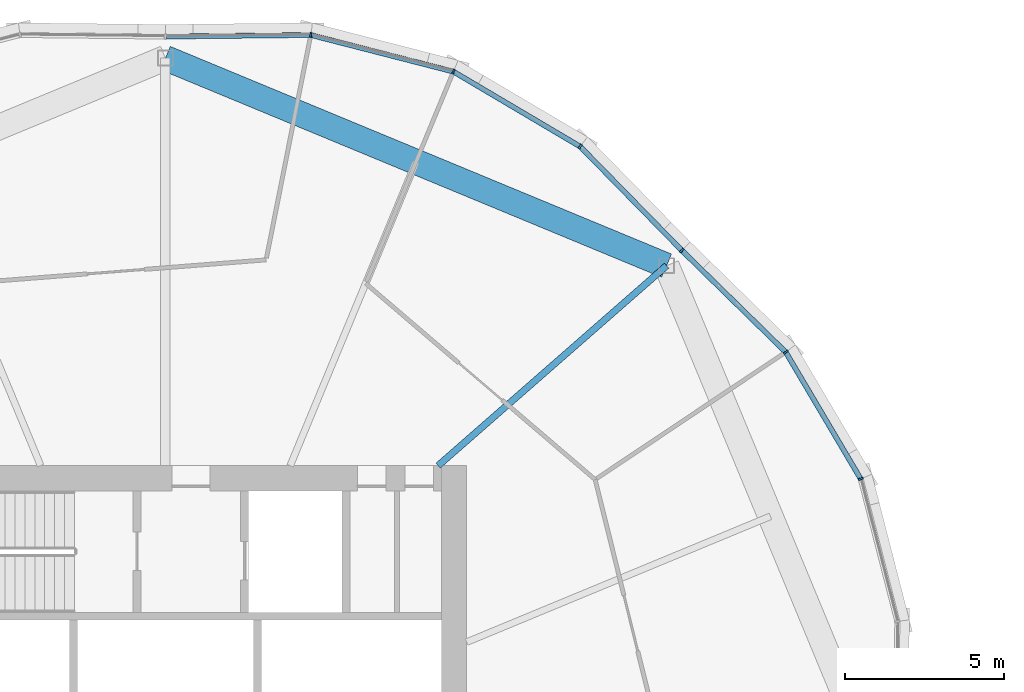
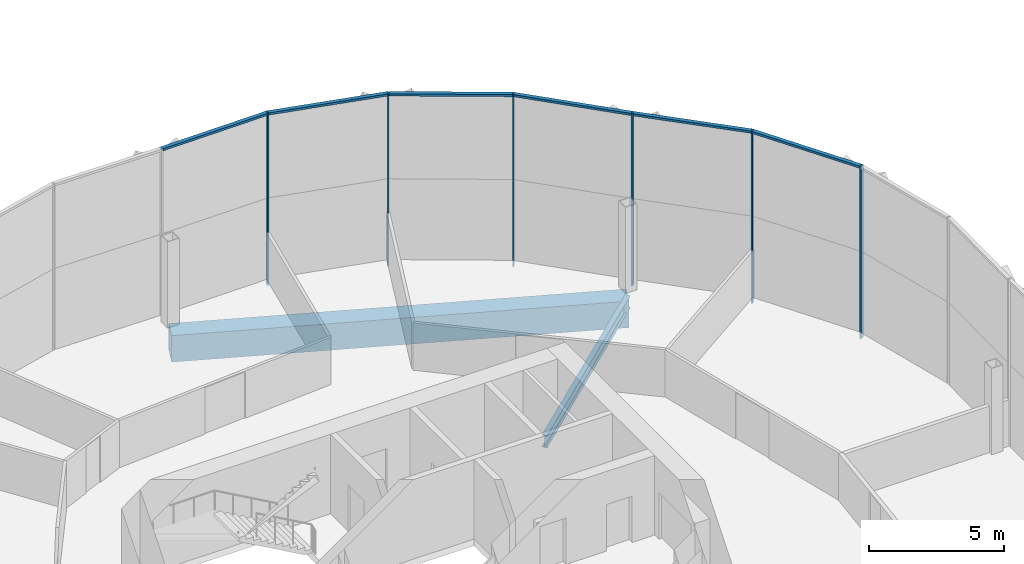
# One storey, part 9 of 27: 12 members, 2 beams, 2 elements without a shape of their own.
"""IFC4 building model written with IfcOpenShell, lengths in metres."""

from ifc_helpers import new_model, si_unit, direction, frame, origin, origin_2d, place, context, subcontext, project, spatial, rectangle, hollow_rectangle, i_section, extrude, material, material_profile, profile_set, type_object, element, aggregate, save


model = new_model("IFC4")

# Units and contexts
model_context = context("Model", 3, precision=1e-05, world=origin(), true_north=direction((0.0, 1.0)))
body_context = subcontext(model_context, "Body", "Model", "MODEL_VIEW")
ifc_project = project(units=[si_unit("LENGTHUNIT", "METRE"), si_unit("AREAUNIT", "SQUARE_METRE"), si_unit("VOLUMEUNIT", "CUBIC_METRE"), si_unit("PLANEANGLEUNIT", "RADIAN"), si_unit("MASSUNIT", "GRAM", prefix="KILO")], contexts=[model_context])

# Site, building, storey
site_placement = place(None, origin())
site = spatial("IfcSite", under=ifc_project, at=site_placement, CompositionType="ELEMENT")
building_placement = place(site_placement, origin())
building = spatial("IfcBuilding", under=site, at=building_placement, Name="Ogive Gate Towers", CompositionType="ELEMENT")
storey_placement = place(building_placement, frame((0.0, 0.0, 123.0)))
storey = spatial("IfcBuildingStorey", under=building, at=storey_placement, Name="L29", CompositionType="ELEMENT", Elevation=123.0)

# Beams
ifc_material_1 = material(Name="Steel SM460", Category="steel")
ifc_material_profile_1 = material_profile(ifc_material_1, hollow_rectangle(XDim=0.800048828125, YDim=1.199951171875, WallThickness=0.050048828125, at=origin_2d()), Name="BX 1200x800x50")
ifc_profile_set_1 = profile_set([ifc_material_profile_1], Name="Steel SM460")
beam_type_1 = type_object("IfcBeamType", Name="Edge girder BX 1200x800x50", PredefinedType="BEAM", material=ifc_profile_set_1)
beam_1_placement = place(storey_placement, frame((-20.196044921875, 15.803955078125, -0.89990234375), z_axis=(-0.923880978344, 0.382679941797, 0.0), x_axis=(-0.382679941797, -0.923880978344, 0.0)))
element("IfcBeam", 1, at=beam_1_placement, inside=storey, type_object=beam_type_1, Name="T1/L29/SBM021", PredefinedType="BEAM", context=body_context, shape_type="SweptSolid", body=[
    extrude(hollow_rectangle(XDim=0.800048828125, YDim=1.199951171875, WallThickness=0.050048828125, at=origin_2d()), origin(), (0.0, 0.0, 1.0), 17.10595703125),
])
ifc_material_2 = material(Name="Steel SM355", Category="steel")
ifc_material_profile_2 = material_profile(ifc_material_2, i_section(OverallWidth=0.2099609375, OverallDepth=0.550048828125, WebThickness=0.010986328125, FlangeThickness=0.01708984375, FilletRadius=0.02392578125, at=origin_2d()), Name="IPE 550")
ifc_profile_set_2 = profile_set([ifc_material_profile_2], Name="Steel SM355")
beam_type_2 = type_object("IfcBeamType", Name="Radial floor beam IPE 550", PredefinedType="BEAM", material=ifc_profile_set_2)
beam_2_placement = place(storey_placement, frame((-27.39990234375, 9.5, -0.574951171875), z_axis=(0.752546675937, 0.658538913457, 0.0), x_axis=(-0.658538913457, 0.752546675937, 0.0)))
element("IfcBeam", 2, at=beam_2_placement, inside=storey, type_object=beam_type_2, Name="T1/L29/SBM009", PredefinedType="BEAM", context=body_context, shape_type="SweptSolid", body=[
    extrude(i_section(OverallWidth=0.2099609375, OverallDepth=0.550048828125, WebThickness=0.010986328125, FlangeThickness=0.01708984375, FilletRadius=0.02392578125, at=origin_2d()), origin(), (0.0, 0.0, 1.0), 9.57275390625),
])

# Curtain wall, members
ifc_material_3 = material(Name="Pale metal aluminium", Category="aluminium")
curtain_wall_type = type_object("IfcCurtainWallType", Name="Tower unitised wall, low zone", PredefinedType="NOTDEFINED", material=ifc_material_3)
curtain_wall_1_placement = place(storey_placement, origin())
curtain_wall_1 = element("IfcCurtainWall", 3, at=curtain_wall_1_placement, inside=storey, type_object=curtain_wall_type, Name="CW1 T1 ECW01", PredefinedType="NOTDEFINED")
ifc_material_profile_3 = material_profile(ifc_material_3, rectangle(XDim=0.159912109375, YDim=0.06005859375, at=origin_2d()), Name="60 x 160 aluminium box")
ifc_profile_set_3 = profile_set([ifc_material_profile_3], Name="Pale metal aluminium")
member_type_1 = type_object("IfcMemberType", Name="Tower unitised wall, low zone mullion 60 x 160", PredefinedType="MULLION", material=ifc_profile_set_3)
member_1_placement = place(storey_placement, frame((-14.075439453125, 9.081298828125, -0.300048828125), z_axis=(0.0, 0.0, 1.0), x_axis=(0.923879532511, 0.382683432365, 0.0)))
member_1 = element("IfcMember", 4, at=member_1_placement, type_object=member_type_1, Name="CW1 mullion", PredefinedType="MULLION", context=body_context, shape_type="SweptSolid", body=[
    extrude(rectangle(XDim=0.159912109375, YDim=0.06005859375, at=origin_2d()), origin(), (0.0, 0.0, 1.0), 7.800048828125),
])
member_2_placement = place(storey_placement, frame((-16.4384765625, 13.078125, -0.300048828125), z_axis=(0.0, 0.0, 1.0), x_axis=(0.786859630935, 0.617132012785, 0.0)))
member_2 = element("IfcMember", 5, at=member_2_placement, type_object=member_type_1, Name="CW1 mullion", PredefinedType="MULLION", context=body_context, shape_type="SweptSolid", body=[
    extrude(rectangle(XDim=0.159912109375, YDim=0.06005859375, at=origin_2d()), origin(), (0.0, 0.0, 1.0), 7.800048828125),
])
member_3_placement = place(storey_placement, frame((-19.715087890625, 16.284423828125, -0.300048828125), z_axis=(0.0, 0.0, 1.0), x_axis=(0.699426373935, 0.714704657494, 0.0)))
member_3 = element("IfcMember", 6, at=member_3_placement, type_object=member_type_1, Name="CW1 mullion", PredefinedType="MULLION", context=body_context, shape_type="SweptSolid", body=[
    extrude(rectangle(XDim=0.159912109375, YDim=0.06005859375, at=origin_2d()), origin(), (0.0, 0.0, 1.0), 7.800048828125),
])

curtain_wall_2_placement = place(storey_placement, origin())
curtain_wall_2 = element("IfcCurtainWall", 7, at=curtain_wall_2_placement, inside=storey, type_object=curtain_wall_type, Name="CW1 T1 ECW02", PredefinedType="NOTDEFINED")
member_4_placement = place(storey_placement, frame((-22.921875, 19.5615234375, -0.300048828125), z_axis=(0.0, 0.0, 1.0), x_axis=(0.617132012785, 0.786859630935, 0.0)))
member_4 = element("IfcMember", 8, at=member_4_placement, type_object=member_type_1, Name="CW1 mullion", PredefinedType="MULLION", context=body_context, shape_type="SweptSolid", body=[
    extrude(rectangle(XDim=0.159912109375, YDim=0.06005859375, at=origin_2d()), origin(), (0.0, 0.0, 1.0), 7.800048828125),
])
member_5_placement = place(storey_placement, frame((-26.918701171875, 21.924560546875, -0.300048828125), z_axis=(0.0, 0.0, 1.0), x_axis=(0.382683432365, 0.923879532511, 0.0)))
member_5 = element("IfcMember", 9, at=member_5_placement, type_object=member_type_1, Name="CW1 mullion", PredefinedType="MULLION", context=body_context, shape_type="SweptSolid", body=[
    extrude(rectangle(XDim=0.159912109375, YDim=0.06005859375, at=origin_2d()), origin(), (0.0, 0.0, 1.0), 7.800048828125),
])
member_6_placement = place(storey_placement, frame((-31.415283203125, 23.07958984375, -0.300048828125), z_axis=(0.0, 0.0, 1.0), x_axis=(0.12003287687, 0.992769917186, 0.0)))
member_6 = element("IfcMember", 10, at=member_6_placement, type_object=member_type_1, Name="CW1 mullion", PredefinedType="MULLION", context=body_context, shape_type="SweptSolid", body=[
    extrude(rectangle(XDim=0.159912109375, YDim=0.06005859375, at=origin_2d()), origin(), (0.0, 0.0, 1.0), 7.800048828125),
])

# Member
ifc_material_profile_4 = material_profile(ifc_material_3, rectangle(XDim=0.159912109375, YDim=0.10009765625, at=origin_2d()), Name="100 x 160 aluminium box")
ifc_profile_set_4 = profile_set([ifc_material_profile_4], Name="Pale metal aluminium")
member_type_2 = type_object("IfcMemberType", Name="Tower unitised wall, low zone transom 100 x 160", PredefinedType="USERDEFINED", material=ifc_profile_set_4)
member_7_placement = place(storey_placement, frame((-14.08935546875, 9.104736328125, 7.449951171875), z_axis=(-0.508937241456, 0.860803627002, 0.0), x_axis=(-0.860803627002, -0.508937241456, 0.0)))
member_7 = element("IfcMember", 11, at=member_7_placement, type_object=member_type_2, Name="CW1 transom", ObjectType="TRANSOM", PredefinedType="USERDEFINED", context=body_context, shape_type="SweptSolid", body=[
    extrude(rectangle(XDim=0.159912109375, YDim=0.10009765625, at=origin_2d()), origin(), (0.0, 0.0, 1.0), 4.58837890625),
])

member_8_placement = place(storey_placement, frame((-16.4580078125, 13.09716796875, 7.449951171875), z_axis=(-0.714723254105, 0.699407370594, 0.0), x_axis=(-0.699407370594, -0.714723254105, 0.0)))
member_8 = element("IfcMember", 12, at=member_8_placement, type_object=member_type_2, Name="CW1 transom", ObjectType="TRANSOM", PredefinedType="USERDEFINED", context=body_context, shape_type="SweptSolid", body=[
    extrude(rectangle(XDim=0.159912109375, YDim=0.10009765625, at=origin_2d()), origin(), (0.0, 0.0, 1.0), 4.527099609375),
])

aggregate(curtain_wall_1, [member_1, member_2, member_7, member_3, member_8])

member_9_placement = place(storey_placement, frame((-19.736572265625, 16.306396484375, 7.449951171875), z_axis=(-0.699407370594, 0.714723254105, 0.0), x_axis=(-0.714723254105, -0.699407370594, 0.0)))
member_9 = element("IfcMember", 13, at=member_9_placement, type_object=member_type_2, Name="CW1 transom", ObjectType="TRANSOM", PredefinedType="USERDEFINED", context=body_context, shape_type="SweptSolid", body=[
    extrude(rectangle(XDim=0.159912109375, YDim=0.10009765625, at=origin_2d()), origin(), (0.0, 0.0, 1.0), 4.527099609375),
])

member_10_placement = place(storey_placement, frame((-22.945556640625, 19.575439453125, 7.449951171875), z_axis=(-0.860803627002, 0.508937241456, 0.0), x_axis=(-0.508937241456, -0.860803627002, 0.0)))
member_10 = element("IfcMember", 14, at=member_10_placement, type_object=member_type_2, Name="CW1 transom", ObjectType="TRANSOM", PredefinedType="USERDEFINED", context=body_context, shape_type="SweptSolid", body=[
    extrude(rectangle(XDim=0.159912109375, YDim=0.10009765625, at=origin_2d()), origin(), (0.0, 0.0, 1.0), 4.58837890625),
])

member_11_placement = place(storey_placement, frame((-26.94482421875, 21.93115234375, 7.449951171875), z_axis=(-0.968554137899, 0.248802897809, 0.0), x_axis=(-0.248802897809, -0.968554137899, 0.0)))
member_11 = element("IfcMember", 15, at=member_11_placement, type_object=member_type_2, Name="CW1 transom", ObjectType="TRANSOM", PredefinedType="USERDEFINED", context=body_context, shape_type="SweptSolid", body=[
    extrude(rectangle(XDim=0.159912109375, YDim=0.10009765625, at=origin_2d()), origin(), (0.0, 0.0, 1.0), 4.58837890625),
])

member_12_placement = place(storey_placement, frame((-31.44287109375, 23.079345703125, 7.449951171875), z_axis=(-0.999941249618, -0.010839617688, 0.0), x_axis=(0.010839617688, -0.999941249618, 0.0)))
member_12 = element("IfcMember", 16, at=member_12_placement, type_object=member_type_2, Name="CW1 transom", ObjectType="TRANSOM", PredefinedType="USERDEFINED", context=body_context, shape_type="SweptSolid", body=[
    extrude(rectangle(XDim=0.159912109375, YDim=0.10009765625, at=origin_2d()), origin(), (0.0, 0.0, 1.0), 4.527099609375),
])

aggregate(curtain_wall_2, [member_4, member_9, member_5, member_10, member_6, member_11, member_12])

save(model, "model.ifc")
